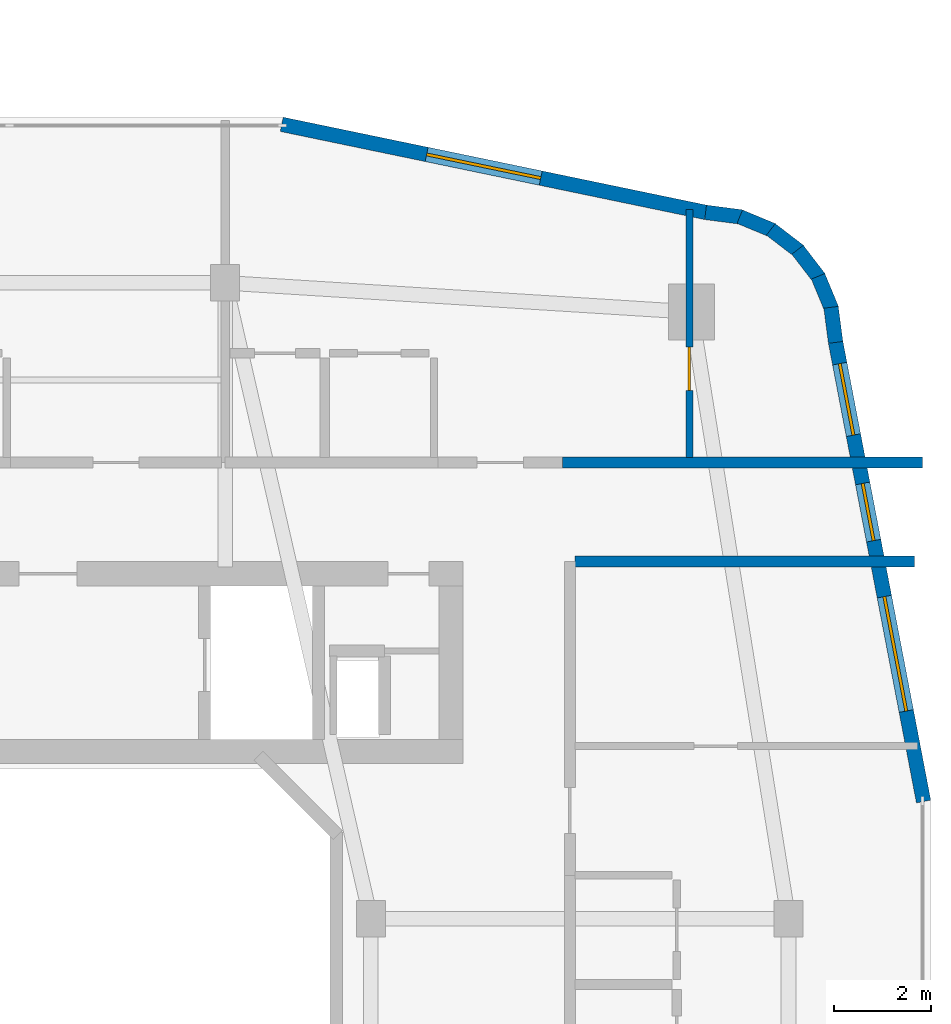
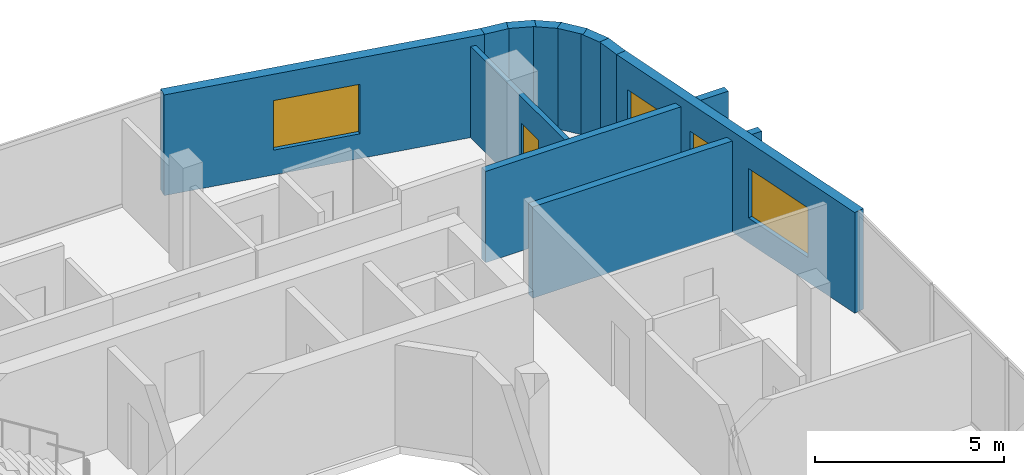
# One storey, part 21 of 27: 11 walls, 4 windows, 1 door, 5 openings.
"""IFC4 building model written with IfcOpenShell, lengths in metres."""

from ifc_helpers import new_model, si_unit, derived_unit, direction, frame, frame_2d, origin, place, context, subcontext, project, spatial, rectangle, extrude, material, layer, layer_set, type_object, element, fill, save


model = new_model("IFC4")

# Units and contexts
model_context = context("Model", 3, precision=1e-05, world=origin(), true_north=direction((0.0, 1.0)))
body_context = subcontext(model_context, "Body", "Model", "MODEL_VIEW")
ifc_project = project(units=[si_unit("LENGTHUNIT", "METRE"), si_unit("AREAUNIT", "SQUARE_METRE"), si_unit("VOLUMEUNIT", "CUBIC_METRE"), si_unit("PLANEANGLEUNIT", "RADIAN"), si_unit("MASSUNIT", "GRAM", prefix="KILO"), derived_unit("THERMALTRANSMITTANCEUNIT", [(si_unit("POWERUNIT", "WATT"), 1), (si_unit("LENGTHUNIT", "METRE"), -2), (si_unit("THERMODYNAMICTEMPERATUREUNIT", "KELVIN"), -1)])], contexts=[model_context])

# Site, building, storey
site_placement = place(None, origin())
site = spatial("IfcSite", under=ifc_project, at=site_placement, CompositionType="ELEMENT")
building_placement = place(site_placement, origin())
building = spatial("IfcBuilding", under=site, at=building_placement, Name="Kivonza Crest Hotel", CompositionType="ELEMENT")
storey_placement = place(building_placement, frame((0.0, 0.0, 76.5)))
storey = spatial("IfcBuildingStorey", under=building, at=storey_placement, Name="L20", CompositionType="ELEMENT", Elevation=76.5)

# Walls
ifc_material_1 = material(Name="Autoclaved aerated concrete blockwork", Category="masonry")
ifc_layer_1 = layer(ifc_material_1, 0.219970703125)
ifc_layer_set_1 = layer_set([ifc_layer_1], Name="Autoclaved aerated concrete blockwork")
wall_type_1 = type_object("IfcWallType", Name="WL-ACOU-220", PredefinedType="SOLIDWALL", material=ifc_layer_set_1)
wall_1_placement = place(storey_placement, frame((88.35009765625, 37.89990234375, 0.0), z_axis=(0.0, 0.0, 1.0), x_axis=(1.0, 0.0, 0.0)))
element("IfcWall", 1, at=wall_1_placement, inside=storey, type_object=wall_type_1, Name="L20 interior partition WA-L20-A03-RCORR", PredefinedType="SOLIDWALL", context=body_context, shape_type="SweptSolid", body=[
    extrude(rectangle(XDim=7.409912109375, YDim=0.219970703125, at=frame_2d((3.705078125, 0.0))), origin(), (0.0, 0.0, 1.0), 2.945068359375),
])
wall_2_placement = place(storey_placement, frame((88.60009765625, 35.860107421875, 0.0), z_axis=(0.0, 0.0, 1.0), x_axis=(1.0, 0.0, 0.0)))
element("IfcWall", 2, at=wall_2_placement, inside=storey, type_object=wall_type_1, Name="L20 interior partition WA-L20-T2E-ENDN", PredefinedType="SOLIDWALL", context=body_context, shape_type="SweptSolid", body=[
    extrude(rectangle(XDim=7.0, YDim=0.219970703125, at=frame_2d((3.5, 0.0))), origin(), (0.0, 0.0, 1.0), 2.945068359375),
])

# Wall, openings, windows
ifc_material_2 = material(Name="Precast concrete C40/50", Category="concrete")
ifc_layer_2 = layer(ifc_material_2, 0.300048828125)
ifc_layer_set_2 = layer_set([ifc_layer_2], Name="Precast concrete C40/50")
wall_type_2 = type_object("IfcWallType", Name="WL-EXT-300", PredefinedType="STANDARD", material=ifc_layer_set_2)
wall_3_placement = place(storey_placement, frame((95.782958984375, 30.91796875, 0.0), z_axis=(0.0, 0.0, 1.0), x_axis=(-0.188087874316, 0.982152203854, 0.0)))
wall_3 = element("IfcWall", 3, at=wall_3_placement, inside=storey, type_object=wall_type_2, Name="L20 T2 exterior insulated wall 18", PredefinedType="STANDARD", context=body_context, shape_type="SweptSolid", body=[
    extrude(rectangle(XDim=9.6337890625, YDim=0.300048828125, at=frame_2d((4.81689453125, 0.0))), origin(), (0.0, 0.0, 1.0), 3.25),
])
opening_1_placement = place(wall_3_placement, frame((1.89697265625, 0.0, 0.800048828125)))
opening_1 = element("IfcOpeningElement", 4, at=opening_1_placement, cuts=wall_3, Name="Opening WN-05", PredefinedType="OPENING", context=body_context, shape_type="SweptSolid", body=[
    extrude(rectangle(XDim=2.39990234375, YDim=1.60009765625, at=frame_2d((1.199951171875, 0.800048828125))), frame((0.0, 0.16015625, 0.0), z_axis=(0.0, -1.0, 0.0), x_axis=(1.0, 0.0, 0.0)), (0.0, 0.0, 1.0), 0.320068359375),
])
opening_2_placement = place(wall_3_placement, frame((5.469970703125, 0.0, 0.85009765625)))
opening_2 = element("IfcOpeningElement", 5, at=opening_2_placement, cuts=wall_3, Name="Opening WN-01", PredefinedType="OPENING", context=body_context, shape_type="SweptSolid", body=[
    extrude(rectangle(XDim=1.199951171875, YDim=1.5, at=frame_2d((0.60009765625, 0.75))), frame((0.0, 0.16015625, 0.0), z_axis=(0.0, -1.0, 0.0), x_axis=(1.0, 0.0, 0.0)), (0.0, 0.0, 1.0), 0.320068359375),
])
opening_3_placement = place(wall_3_placement, frame((7.681884765625, 0.0, 0.85009765625)))
opening_3 = element("IfcOpeningElement", 6, at=opening_3_placement, cuts=wall_3, Name="Opening WN-02", PredefinedType="OPENING", context=body_context, shape_type="SweptSolid", body=[
    extrude(rectangle(XDim=1.5, YDim=1.5, at=frame_2d((0.75, 0.75))), frame((0.0, 0.16015625, 0.0), z_axis=(0.0, -1.0, 0.0), x_axis=(1.0, 0.0, 0.0)), (0.0, 0.0, 1.0), 0.320068359375),
])
ifc_material_3 = material(Name="Thermally broken bronze aluminium and low-E double glazing", Category="aluminium")
window_type_1 = type_object("IfcWindowType", Name="WN-120x150", PartitioningType="SINGLE_PANEL", PredefinedType="WINDOW", material=ifc_material_3)
window_1_placement = place(opening_2_placement, origin())
window_1 = element("IfcWindow", 7, at=window_1_placement, inside=storey, type_object=window_type_1, Name="L20 T2 facade window 18 bay 2", OverallHeight=1.5, OverallWidth=1.199951171875, PartitioningType="SINGLE_PANEL", PredefinedType="WINDOW", context=body_context, shape_type="SweptSolid", body=[
    extrude(rectangle(XDim=1.199951171875, YDim=1.5, at=frame_2d((0.60009765625, 0.75))), frame((0.0, 0.030029296875, 0.0), z_axis=(0.0, -1.0, 0.0), x_axis=(1.0, 0.0, 0.0)), (0.0, 0.0, 1.0), 0.06005859375),
])
fill(opening_2, window_1)
window_type_2 = type_object("IfcWindowType", Name="WN-150x150", PartitioningType="DOUBLE_PANEL_VERTICAL", PredefinedType="WINDOW", material=ifc_material_3)
window_2_placement = place(opening_3_placement, origin())
window_2 = element("IfcWindow", 8, at=window_2_placement, inside=storey, type_object=window_type_2, Name="L20 T2 facade window 18 bay 3", OverallHeight=1.5, OverallWidth=1.5, PartitioningType="SINGLE_PANEL", PredefinedType="WINDOW", context=body_context, shape_type="SweptSolid", body=[
    extrude(rectangle(XDim=1.5, YDim=1.5, at=frame_2d((0.75, 0.75))), frame((0.0, 0.030029296875, 0.0), z_axis=(0.0, -1.0, 0.0), x_axis=(1.0, 0.0, 0.0)), (0.0, 0.0, 1.0), 0.06005859375),
])
fill(opening_3, window_2)
window_type_3 = type_object("IfcWindowType", Name="WN-240x160", PartitioningType="TRIPLE_PANEL_VERTICAL", PredefinedType="WINDOW", material=ifc_material_3)
window_3_placement = place(opening_1_placement, origin())
window_3 = element("IfcWindow", 9, at=window_3_placement, inside=storey, type_object=window_type_3, Name="L20 T2 facade window 18 bay 1", OverallHeight=1.60009765625, OverallWidth=2.39990234375, PartitioningType="SINGLE_PANEL", PredefinedType="WINDOW", context=body_context, shape_type="SweptSolid", body=[
    extrude(rectangle(XDim=2.39990234375, YDim=1.60009765625, at=frame_2d((1.199951171875, 0.800048828125))), frame((0.0, 0.030029296875, 0.0), z_axis=(0.0, -1.0, 0.0), x_axis=(1.0, 0.0, 0.0)), (0.0, 0.0, 1.0), 0.06005859375),
])
fill(opening_1, window_3)

# Walls
wall_4_placement = place(storey_placement, frame((93.971923828125, 40.373046875, 0.0), z_axis=(0.0, 0.0, 1.0), x_axis=(-0.130255288807, 0.991480488834, 0.0)))
element("IfcWall", 10, at=wall_4_placement, inside=storey, type_object=wall_type_2, Name="L20 T2 exterior insulated wall 19", PredefinedType="STANDARD", context=body_context, shape_type="SweptSolid", body=[
    extrude(rectangle(XDim=0.72900390625, YDim=0.300048828125, at=frame_2d((0.364501953125, 0.0))), origin(), (0.0, 0.0, 1.0), 3.25),
])
wall_5_placement = place(storey_placement, frame((93.89599609375, 41.044921875, 0.0), z_axis=(0.0, 0.0, 1.0), x_axis=(-0.383267045233, 0.923637576129, 0.0)))
element("IfcWall", 11, at=wall_5_placement, inside=storey, type_object=wall_type_2, Name="L20 T2 exterior insulated wall 20", PredefinedType="STANDARD", context=body_context, shape_type="SweptSolid", body=[
    extrude(rectangle(XDim=0.745849609375, YDim=0.300048828125, at=frame_2d((0.373046875, 0.0))), origin(), (0.0, 0.0, 1.0), 3.25),
])
for number, where, z_axis, x_axis, name in (
    (12, (93.64111328125, 41.68896484375, 0.0), (0.0, 0.0, 1.0), (-0.608603261071, 0.793474681772, 0.0), "L20 T2 exterior insulated wall 21"),
    (13, (93.22900390625, 42.24609375, 0.0), (0.0, 0.0, 1.0), (-0.79363269798, 0.608397189915, 0.0), "L20 T2 exterior insulated wall 22"),
):
    element("IfcWall", number, at=place(storey_placement, frame(where, z_axis=z_axis, x_axis=x_axis)), inside=storey, type_object=wall_type_2, Name=name, PredefinedType="STANDARD", context=body_context, shape_type="SweptSolid", body=[
        extrude(rectangle(XDim=0.74609375, YDim=0.300048828125, at=frame_2d((0.373046875, 0.0))), origin(), (0.0, 0.0, 1.0), 3.25),
    ])
wall_6_placement = place(storey_placement, frame((92.68603515625, 42.676025390625, 0.0), z_axis=(0.0, 0.0, 1.0), x_axis=(-0.923637576129, 0.383267045233, 0.0)))
element("IfcWall", 14, at=wall_6_placement, inside=storey, type_object=wall_type_2, Name="L20 T2 exterior insulated wall 23", PredefinedType="STANDARD", context=body_context, shape_type="SweptSolid", body=[
    extrude(rectangle(XDim=0.745849609375, YDim=0.300048828125, at=frame_2d((0.373046875, 0.0))), origin(), (0.0, 0.0, 1.0), 3.25),
])
wall_7_placement = place(storey_placement, frame((92.051025390625, 42.952880859375, 0.0), z_axis=(0.0, 0.0, 1.0), x_axis=(-0.991559404866, 0.129653178221, 0.0)))
element("IfcWall", 15, at=wall_7_placement, inside=storey, type_object=wall_type_2, Name="L20 T2 exterior insulated wall 24", PredefinedType="STANDARD", context=body_context, shape_type="SweptSolid", body=[
    extrude(rectangle(XDim=0.764404296875, YDim=0.300048828125, at=frame_2d((0.38232421875, 0.0))), origin(), (0.0, 0.0, 1.0), 3.25),
])

# Wall, opening, window
wall_8_placement = place(storey_placement, frame((91.298095703125, 43.051025390625, 0.0), z_axis=(0.0, 0.0, 1.0), x_axis=(-0.979128391325, 0.203242695569, 0.0)))
wall_8 = element("IfcWall", 16, at=wall_8_placement, inside=storey, type_object=wall_type_2, Name="L20 T2 exterior insulated wall 25", PredefinedType="STANDARD", context=body_context, shape_type="SweptSolid", body=[
    extrude(rectangle(XDim=8.92041015625, YDim=0.300048828125, at=frame_2d((4.460205078125, 0.0))), origin(), (0.0, 0.0, 1.0), 3.25),
])
opening_4_placement = place(wall_8_placement, frame((3.471923828125, 0.0, 0.800048828125)))
opening_4 = element("IfcOpeningElement", 17, at=opening_4_placement, cuts=wall_8, Name="Opening WN-05", PredefinedType="OPENING", context=body_context, shape_type="SweptSolid", body=[
    extrude(rectangle(XDim=2.39990234375, YDim=1.60009765625, at=frame_2d((1.199951171875, 0.800048828125))), frame((0.0, 0.16015625, 0.0), z_axis=(0.0, -1.0, 0.0), x_axis=(1.0, 0.0, 0.0)), (0.0, 0.0, 1.0), 0.320068359375),
])
window_4_placement = place(opening_4_placement, origin())
window_4 = element("IfcWindow", 18, at=window_4_placement, inside=storey, type_object=window_type_3, Name="L20 T2 facade window 25", OverallHeight=1.60009765625, OverallWidth=2.39990234375, PartitioningType="SINGLE_PANEL", PredefinedType="WINDOW", context=body_context, shape_type="SweptSolid", body=[
    extrude(rectangle(XDim=2.39990234375, YDim=1.60009765625, at=frame_2d((1.199951171875, 0.800048828125))), frame((0.0, 0.030029296875, 0.0), z_axis=(0.0, -1.0, 0.0), x_axis=(1.0, 0.0, 0.0)), (0.0, 0.0, 1.0), 0.06005859375),
])
fill(opening_4, window_4)

# Wall, opening, door
ifc_material_4 = material(Name="Twin-stud acoustic gypsum board partition", Category="gypsum")
ifc_layer_3 = layer(ifc_material_4, 0.14990234375)
ifc_layer_set_3 = layer_set([ifc_layer_3], Name="Twin-stud acoustic gypsum board partition")
wall_type_3 = type_object("IfcWallType", Name="WL-PART-150", PredefinedType="PARTITIONING", material=ifc_layer_set_3)
wall_9_placement = place(storey_placement, frame((90.9599609375, 38.0, 0.0), z_axis=(0.0, 0.0, 1.0), x_axis=(0.0, 1.0, 0.0)))
wall_9 = element("IfcWall", 19, at=wall_9_placement, inside=storey, type_object=wall_type_3, Name="L20 interior partition WP-L20-A03-BDW1", PredefinedType="PARTITIONING", context=body_context, shape_type="SweptSolid", body=[
    extrude(rectangle(XDim=5.113037109375, YDim=0.14990234375, at=frame_2d((2.556640625, 0.0))), origin(), (0.0, 0.0, 1.0), 2.945068359375),
])
opening_5_placement = place(wall_9_placement, frame((1.3798828125, 0.0, 0.0)))
opening_5 = element("IfcOpeningElement", 20, at=opening_5_placement, cuts=wall_9, Name="Opening DI-90", PredefinedType="OPENING", context=body_context, shape_type="SweptSolid", body=[
    extrude(rectangle(XDim=0.89990234375, YDim=2.10009765625, at=frame_2d((0.449951171875, 1.050048828125))), frame((0.0, 0.0849609375, 0.0), z_axis=(0.0, -1.0, 0.0), x_axis=(1.0, 0.0, 0.0)), (0.0, 0.0, 1.0), 0.169921875),
])
ifc_material_5 = material(Name="Hardwood timber oak", Category="wood")
door_type = type_object("IfcDoorType", Name="DR-INT-900", OperationType="NOTDEFINED", PredefinedType="DOOR", material=ifc_material_5)
door_placement = place(opening_5_placement, origin())
door = element("IfcDoor", 21, at=door_placement, inside=storey, type_object=door_type, Name="L20 A03 bedroom 1 door", OperationType="SINGLE_SWING_RIGHT", OverallHeight=2.10009765625, OverallWidth=0.89990234375, PredefinedType="DOOR", context=body_context, shape_type="SweptSolid", body=[
    extrude(rectangle(XDim=0.89990234375, YDim=2.10009765625, at=frame_2d((0.449951171875, 1.050048828125))), frame((0.0, 0.02490234375, 0.0), z_axis=(0.0, -1.0, 0.0), x_axis=(1.0, 0.0, 0.0)), (0.0, 0.0, 1.0), 0.050048828125),
])
fill(opening_5, door)

save(model, "model.ifc")
